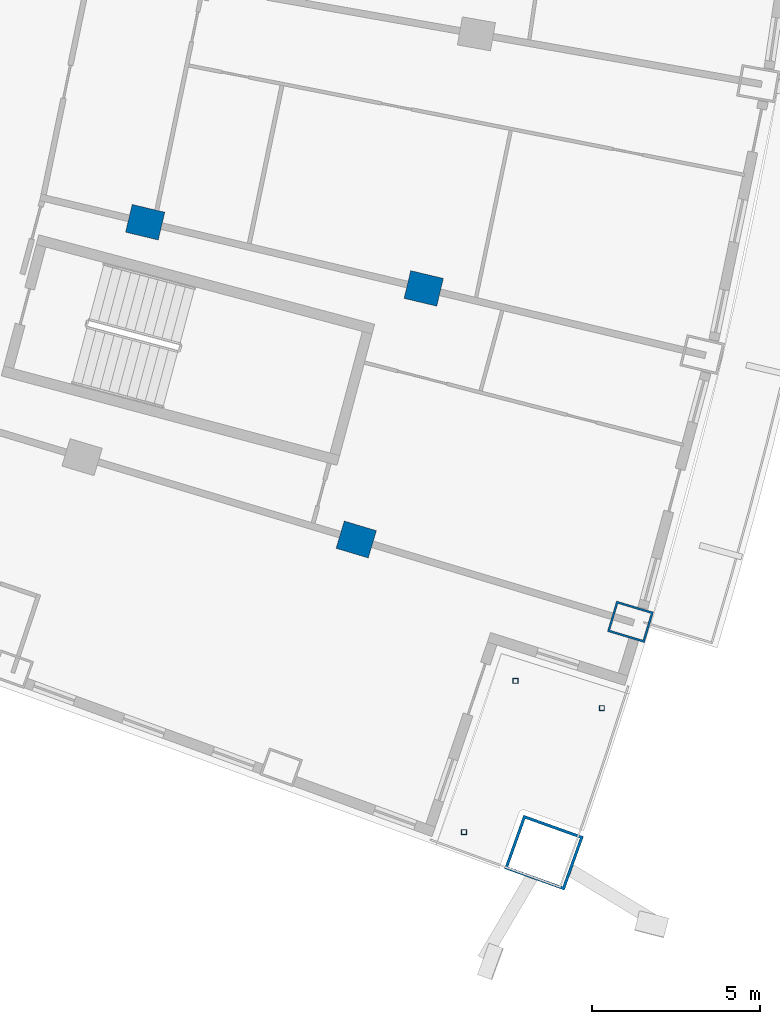
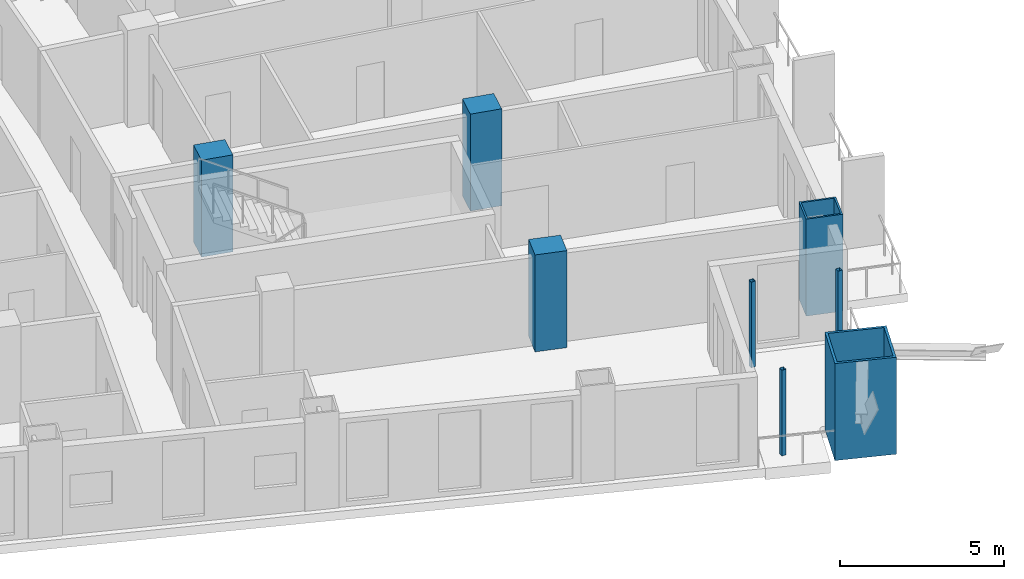
# One storey, part 4 of 23: 8 columns.
"""IFC4 building model written with IfcOpenShell, lengths in metres."""

from ifc_helpers import new_model, si_unit, direction, frame, origin, origin_2d, place, context, subcontext, project, spatial, rectangle, hollow_rectangle, extrude, material, material_profile, profile_set, type_object, element, save


model = new_model("IFC4")

# Units and contexts
model_context = context("Model", 3, precision=1e-05, world=origin(), true_north=direction((0.0, 1.0)))
body_context = subcontext(model_context, "Body", "Model", "MODEL_VIEW")
ifc_project = project(units=[si_unit("LENGTHUNIT", "METRE"), si_unit("AREAUNIT", "SQUARE_METRE"), si_unit("VOLUMEUNIT", "CUBIC_METRE"), si_unit("PLANEANGLEUNIT", "RADIAN"), si_unit("MASSUNIT", "GRAM", prefix="KILO")], contexts=[model_context])

# Site, building, storey
site_placement = place(None, origin())
site = spatial("IfcSite", under=ifc_project, at=site_placement, CompositionType="ELEMENT")
building_placement = place(site_placement, origin())
building = spatial("IfcBuilding", under=site, at=building_placement, Name="Alderwake Tower", CompositionType="ELEMENT")
storey_placement = place(building_placement, frame((0.0, 0.0, 100.39990234375)))
storey = spatial("IfcBuildingStorey", under=building, at=storey_placement, Name="L24", CompositionType="ELEMENT", Elevation=100.39990234375)

# Columns
ifc_material_1 = material(Name="Concrete C70/85", Category="concrete")
ifc_material_profile_1 = material_profile(ifc_material_1, rectangle(XDim=0.85009765625, YDim=1.0, at=origin_2d()), Name="RC 1000X850")
ifc_profile_set_1 = profile_set([ifc_material_profile_1], Name="Concrete C70/85")
column_type_1 = type_object("IfcColumnType", Name="Interior column Z2", PredefinedType="COLUMN", material=ifc_profile_set_1)
for number, where, z_axis, x_axis, name in (
    (1, (47.255126953125, 22.794189453125, 0.0), (0.0, 0.0, 1.0), (0.287549418125, 0.957765802342, 0.0), "Column R02-C4"),
    (2, (40.964111328125, 32.25146484375, 0.0), (0.0, 0.0, 1.0), (0.231221547198, 0.972901123502, 0.0), "Column R03-C3"),
    (3, (49.26611328125, 30.2783203125, 0.0), (0.0, 0.0, 1.0), (0.231221547198, 0.972901123502, 0.0), "Column R03-C4"),
):
    element("IfcColumn", number, at=place(storey_placement, frame(where, z_axis=z_axis, x_axis=x_axis)), inside=storey, type_object=column_type_1, Name=name, PredefinedType="COLUMN", context=body_context, shape_type="SweptSolid", body=[
        extrude(rectangle(XDim=0.85009765625, YDim=1.0, at=origin_2d()), origin(), (0.0, 0.0, 1.0), 3.60009765625),
    ])
ifc_material_2 = material(Name="Steel ASTM A500 Grade C", Category="steel")
ifc_material_profile_2 = material_profile(ifc_material_2, hollow_rectangle(XDim=0.15234375, YDim=0.15234375, WallThickness=0.0087890625, at=origin_2d()), Name="HSS6X6X3/8")
ifc_profile_set_2 = profile_set([ifc_material_profile_2], Name="Steel ASTM A500 Grade C")
column_type_2 = type_object("IfcColumnType", Name="Light post HSS6X6X3/8", PredefinedType="COLUMN", material=ifc_profile_set_2)
for number, where, z_axis, x_axis, name in (
    (4, (54.57568359375, 17.765869140625, 0.0), (0.0, 0.0, 1.0), (1.0, 0.0, 0.0), "Terrace post FS1"),
    (5, (50.465576171875, 14.068359375, 0.0), (0.0, 0.0, 1.0), (1.0, 0.0, 0.0), "Terrace post FS2"),
    (6, (52.001220703125, 18.579833984375, 0.0), (0.0, 0.0, 1.0), (1.0, 0.0, 0.0), "Terrace post FS3"),
):
    element("IfcColumn", number, at=place(storey_placement, frame(where, z_axis=z_axis, x_axis=x_axis)), inside=storey, type_object=column_type_2, Name=name, PredefinedType="COLUMN", context=body_context, shape_type="SweptSolid", body=[
        extrude(hollow_rectangle(XDim=0.15234375, YDim=0.15234375, WallThickness=0.0087890625, at=origin_2d()), origin(), (0.0, 0.0, 1.0), 3.18017578125),
    ])
ifc_material_3 = material(Name="Steel ASTM A572 Grade 50 concrete filled C70/85", Category="concrete")
ifc_material_profile_3 = material_profile(ifc_material_3, hollow_rectangle(XDim=1.699951171875, YDim=1.89990234375, WallThickness=0.0849609375, at=origin_2d()), Name="BOX 1900X1700X85")
ifc_profile_set_3 = profile_set([ifc_material_profile_3], Name="Steel ASTM A572 Grade 50 concrete filled C70/85")
column_type_3 = type_object("IfcColumnType", Name="Mega column Z2", PredefinedType="COLUMN", material=ifc_profile_set_3)
column_1_placement = place(storey_placement, frame((52.850830078125, 13.461669921875, 0.0), z_axis=(0.0, 0.0, 1.0), x_axis=(0.336911216263, 0.941536421152, 0.0)))
element("IfcColumn", 7, at=column_1_placement, inside=storey, type_object=column_type_3, Name="Column R01-C5", PredefinedType="COLUMN", context=body_context, shape_type="SweptSolid", body=[
    extrude(hollow_rectangle(XDim=1.699951171875, YDim=1.89990234375, WallThickness=0.0849609375, at=origin_2d()), origin(), (0.0, 0.0, 1.0), 3.60009765625),
])
ifc_material_4 = material(Name="Steel ASTM A572 Grade 50 concrete filled C70/85", Category="concrete")
ifc_material_profile_4 = material_profile(ifc_material_4, hollow_rectangle(XDim=0.949951171875, YDim=1.14990234375, WallThickness=0.06005859375, at=origin_2d()), Name="BOX 1150X950X60")
ifc_profile_set_4 = profile_set([ifc_material_profile_4], Name="Steel ASTM A572 Grade 50 concrete filled C70/85")
column_type_4 = type_object("IfcColumnType", Name="Perimeter column Z2", PredefinedType="COLUMN", material=ifc_profile_set_4)
column_2_placement = place(storey_placement, frame((55.427978515625, 20.340576171875, 0.0), z_axis=(0.0, 0.0, 1.0), x_axis=(0.287549418125, 0.957765802342, 0.0)))
element("IfcColumn", 8, at=column_2_placement, inside=storey, type_object=column_type_4, Name="Column R02-C5", PredefinedType="COLUMN", context=body_context, shape_type="SweptSolid", body=[
    extrude(hollow_rectangle(XDim=0.949951171875, YDim=1.14990234375, WallThickness=0.06005859375, at=origin_2d()), origin(), (0.0, 0.0, 1.0), 3.60009765625),
])

save(model, "model.ifc")
